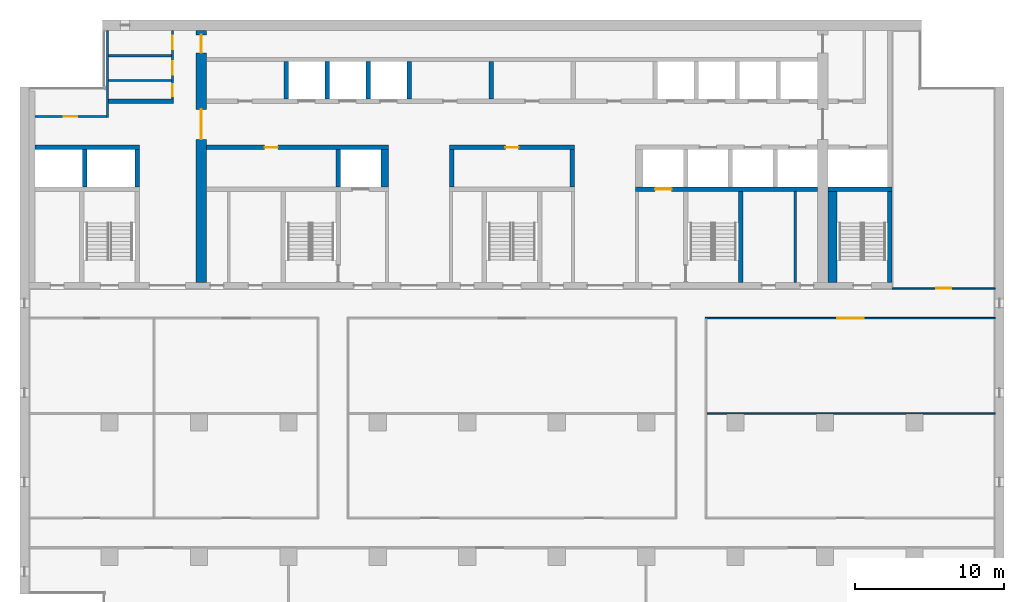
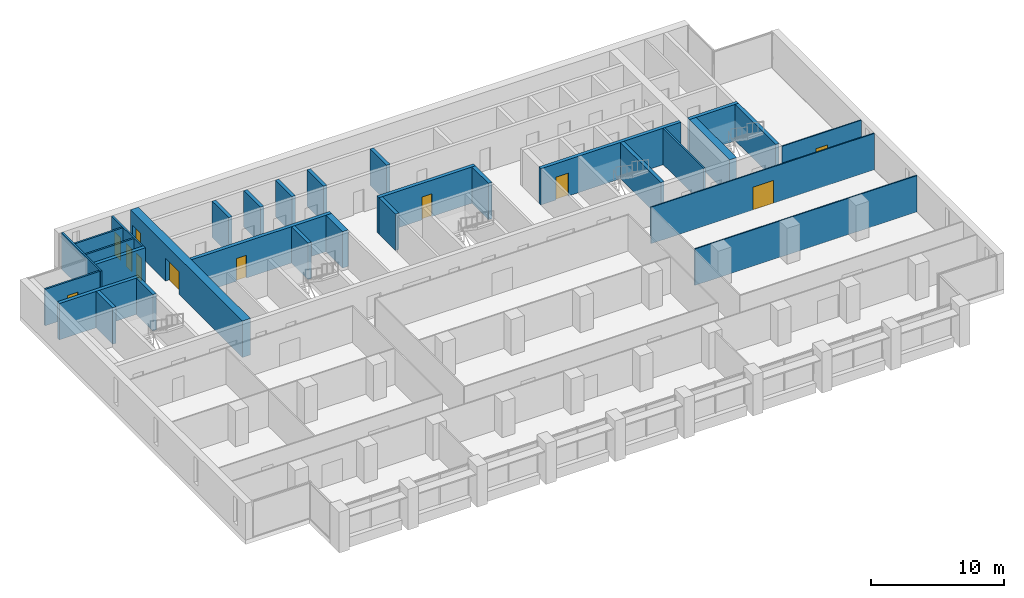
# One storey, part 10 of 16: 30 walls, 11 doors, 11 openings.
"""IFC4 building model written with IfcOpenShell, lengths in metres."""

from ifc_helpers import new_model, si_unit, direction, frame, frame_2d, origin, place, context, subcontext, project, spatial, rectangle, extrude, material, layer, layer_set, type_object, element, fill, save


model = new_model("IFC4")

# Units and contexts
model_context = context("Model", 3, precision=1e-05, world=origin(), true_north=direction((0.0, 1.0)))
body_context = subcontext(model_context, "Body", "Model", "MODEL_VIEW")
ifc_project = project(units=[si_unit("LENGTHUNIT", "METRE"), si_unit("AREAUNIT", "SQUARE_METRE"), si_unit("VOLUMEUNIT", "CUBIC_METRE"), si_unit("PLANEANGLEUNIT", "RADIAN"), si_unit("MASSUNIT", "GRAM", prefix="KILO")], contexts=[model_context])

# Site, building, storey
site_placement = place(None, origin())
site = spatial("IfcSite", under=ifc_project, at=site_placement, CompositionType="ELEMENT")
building_placement = place(site_placement, origin())
building = spatial("IfcBuilding", under=site, at=building_placement, Name="Calvaro Tower", CompositionType="ELEMENT")
storey_placement = place(building_placement, frame((0.0, 0.0, 178.0)))
storey = spatial("IfcBuildingStorey", under=building, at=storey_placement, Name="L44", CompositionType="ELEMENT", Elevation=178.0)

# Walls
ifc_material_1 = material(Name="Blockwork partition", Category="masonry")
ifc_layer_1 = layer(ifc_material_1, 0.14990234375)
ifc_layer_set_1 = layer_set([ifc_layer_1], Name="Blockwork partition")
wall_type_1 = type_object("IfcWallType", Name="Core partition 150 EI 60", PredefinedType="PARTITIONING", material=ifc_layer_set_1)
wall_1_placement = place(storey_placement, frame((58.0, 28.39990234375, 0.0), z_axis=(0.0, 0.0, 1.0), x_axis=(0.0, 1.0, 0.0)))
element("IfcWall", 1, at=wall_1_placement, inside=storey, type_object=wall_type_1, Name="Core partition", PredefinedType="PARTITIONING", context=body_context, shape_type="SweptSolid", body=[
    extrude(rectangle(XDim=6.10009765625, YDim=0.14990234375, at=frame_2d((3.050048828125, 0.0))), origin(), (0.0, 0.0, 1.0), 3.35009765625),
])
for number, where, z_axis, x_axis, name in (
    (2, (11.949951171875, 41.949951171875, 0.0), (0.0, 0.0, 1.0), (1.0, 0.0, 0.0), "Core partition"),
    (3, (11.949951171875, 43.60009765625, 0.0), (0.0, 0.0, 1.0), (1.0, 0.0, 0.0), "Core partition"),
):
    element("IfcWall", number, at=place(storey_placement, frame(where, z_axis=z_axis, x_axis=x_axis)), inside=storey, type_object=wall_type_1, Name=name, PredefinedType="PARTITIONING", context=body_context, shape_type="SweptSolid", body=[
        extrude(rectangle(XDim=4.199951171875, YDim=0.14990234375, at=frame_2d((2.10009765625, 0.0))), origin(), (0.0, 0.0, 1.0), 3.35009765625),
    ])

# Wall, openings, doors
ifc_material_2 = material(Name="Blockwork partition", Category="masonry")
ifc_layer_2 = layer(ifc_material_2, 0.14990234375)
ifc_layer_set_2 = layer_set([ifc_layer_2], Name="Blockwork partition")
wall_type_2 = type_object("IfcWallType", Name="Core partition 150 REI 120", PredefinedType="PARTITIONING", material=ifc_layer_set_2)
wall_2_placement = place(storey_placement, frame((16.22509765625, 45.300048828125, 0.0), z_axis=(0.0, 0.0, 1.0), x_axis=(0.0, -1.0, 0.0)))
wall_2 = element("IfcWall", 4, at=wall_2_placement, inside=storey, type_object=wall_type_2, Name="Core partition", PredefinedType="PARTITIONING", context=body_context, shape_type="SweptSolid", body=[
    extrude(rectangle(XDim=4.60009765625, YDim=0.14990234375, at=frame_2d((2.300048828125, 0.0))), origin(), (0.0, 0.0, 1.0), 3.35009765625),
])
opening_1_placement = place(wall_2_placement, frame((3.612548828125, 0.0, 0.0)))
opening_1 = element("IfcOpeningElement", 5, at=opening_1_placement, cuts=wall_2, Name="Opening RD8C", PredefinedType="OPENING", context=body_context, shape_type="SweptSolid", body=[
    extrude(rectangle(XDim=0.800048828125, YDim=2.10009765625, at=frame_2d((0.39990234375, 1.050048828125))), frame((0.0, 0.0849609375, 0.0), z_axis=(0.0, -1.0, 0.0), x_axis=(1.0, 0.0, 0.0)), (0.0, 0.0, 1.0), 0.169921875),
])
opening_2_placement = place(wall_2_placement, frame((2.074951171875, 0.0, 0.0)))
opening_2 = element("IfcOpeningElement", 6, at=opening_2_placement, cuts=wall_2, Name="Opening RD9", PredefinedType="OPENING", context=body_context, shape_type="SweptSolid", body=[
    extrude(rectangle(XDim=0.89990234375, YDim=2.10009765625, at=frame_2d((0.449951171875, 1.050048828125))), frame((0.0, 0.0849609375, 0.0), z_axis=(0.0, -1.0, 0.0), x_axis=(1.0, 0.0, 0.0)), (0.0, 0.0, 1.0), 0.169921875),
])
opening_3_placement = place(wall_2_placement, frame((0.362548828125, 0.0, 0.0)))
opening_3 = element("IfcOpeningElement", 7, at=opening_3_placement, cuts=wall_2, Name="Opening RD9", PredefinedType="OPENING", context=body_context, shape_type="SweptSolid", body=[
    extrude(rectangle(XDim=0.89990234375, YDim=2.10009765625, at=frame_2d((0.449951171875, 1.050048828125))), frame((0.0, 0.0849609375, 0.0), z_axis=(0.0, -1.0, 0.0), x_axis=(1.0, 0.0, 0.0)), (0.0, 0.0, 1.0), 0.169921875),
])
ifc_material_3 = material(Name="Steel door set", Category="steel")
door_type_1 = type_object("IfcDoorType", Name="Room door 800 FD30", OperationType="SINGLE_SWING_LEFT", PredefinedType="DOOR", material=ifc_material_3)
door_1_placement = place(opening_1_placement, origin())
door_1 = element("IfcDoor", 8, at=door_1_placement, inside=storey, type_object=door_type_1, Name="Room door", OperationType="SINGLE_SWING_RIGHT", OverallHeight=2.10009765625, OverallWidth=0.800048828125, PredefinedType="DOOR", context=body_context, shape_type="SweptSolid", body=[
    extrude(rectangle(XDim=0.800048828125, YDim=2.10009765625, at=frame_2d((0.39990234375, 1.050048828125))), frame((0.0, 0.02490234375, 0.0), z_axis=(0.0, -1.0, 0.0), x_axis=(1.0, 0.0, 0.0)), (0.0, 0.0, 1.0), 0.050048828125),
])
fill(opening_1, door_1)
ifc_material_4 = material(Name="Steel door set", Category="steel")
door_type_2 = type_object("IfcDoorType", Name="Room door 900", OperationType="SINGLE_SWING_LEFT", PredefinedType="DOOR", material=ifc_material_4)
door_2_placement = place(opening_2_placement, origin())
door_2 = element("IfcDoor", 9, at=door_2_placement, inside=storey, type_object=door_type_2, Name="Room door", OperationType="SINGLE_SWING_RIGHT", OverallHeight=2.10009765625, OverallWidth=0.89990234375, PredefinedType="DOOR", context=body_context, shape_type="SweptSolid", body=[
    extrude(rectangle(XDim=0.89990234375, YDim=2.10009765625, at=frame_2d((0.449951171875, 1.050048828125))), frame((0.0, 0.02490234375, 0.0), z_axis=(0.0, -1.0, 0.0), x_axis=(1.0, 0.0, 0.0)), (0.0, 0.0, 1.0), 0.050048828125),
])
fill(opening_2, door_2)
door_3_placement = place(opening_3_placement, origin())
door_3 = element("IfcDoor", 10, at=door_3_placement, inside=storey, type_object=door_type_2, Name="Room door", OperationType="SINGLE_SWING_RIGHT", OverallHeight=2.10009765625, OverallWidth=0.89990234375, PredefinedType="DOOR", context=body_context, shape_type="SweptSolid", body=[
    extrude(rectangle(XDim=0.89990234375, YDim=2.10009765625, at=frame_2d((0.449951171875, 1.050048828125))), frame((0.0, 0.02490234375, 0.0), z_axis=(0.0, -1.0, 0.0), x_axis=(1.0, 0.0, 0.0)), (0.0, 0.0, 1.0), 0.050048828125),
])
fill(opening_3, door_3)

# Wall
wall_3_placement = place(storey_placement, frame((11.875, 39.449951171875, 0.0), z_axis=(0.0, 0.0, 1.0), x_axis=(0.0, 1.0, 0.0)))
element("IfcWall", 11, at=wall_3_placement, inside=storey, type_object=wall_type_2, Name="Core partition", PredefinedType="PARTITIONING", context=body_context, shape_type="SweptSolid", body=[
    extrude(rectangle(XDim=5.85009765625, YDim=0.14990234375, at=frame_2d((2.925048828125, 0.0))), origin(), (0.0, 0.0, 1.0), 3.35009765625),
])

# Wall, opening, door
wall_4_placement = place(storey_placement, frame((7.0, 39.52490234375, 0.0), z_axis=(0.0, 0.0, 1.0), x_axis=(1.0, 0.0, 0.0)))
wall_4 = element("IfcWall", 12, at=wall_4_placement, inside=storey, type_object=wall_type_2, Name="Core partition", PredefinedType="PARTITIONING", context=body_context, shape_type="SweptSolid", body=[
    extrude(rectangle(XDim=4.800048828125, YDim=0.14990234375, at=frame_2d((2.39990234375, 0.0))), origin(), (0.0, 0.0, 1.0), 3.35009765625),
])
opening_4_placement = place(wall_4_placement, frame((1.949951171875, 0.0, 0.0)))
opening_4 = element("IfcOpeningElement", 13, at=opening_4_placement, cuts=wall_4, Name="Opening RD9", PredefinedType="OPENING", context=body_context, shape_type="SweptSolid", body=[
    extrude(rectangle(XDim=0.89990234375, YDim=2.10009765625, at=frame_2d((0.449951171875, 1.050048828125))), frame((0.0, 0.0849609375, 0.0), z_axis=(0.0, -1.0, 0.0), x_axis=(1.0, 0.0, 0.0)), (0.0, 0.0, 1.0), 0.169921875),
])
door_4_placement = place(opening_4_placement, origin())
door_4 = element("IfcDoor", 14, at=door_4_placement, inside=storey, type_object=door_type_2, Name="Room door", OperationType="SINGLE_SWING_LEFT", OverallHeight=2.10009765625, OverallWidth=0.89990234375, PredefinedType="DOOR", context=body_context, shape_type="SweptSolid", body=[
    extrude(rectangle(XDim=0.89990234375, YDim=2.10009765625, at=frame_2d((0.449951171875, 1.050048828125))), frame((0.0, 0.02490234375, 0.0), z_axis=(0.0, -1.0, 0.0), x_axis=(1.0, 0.0, 0.0)), (0.0, 0.0, 1.0), 0.050048828125),
])
fill(opening_4, door_4)

# Walls
ifc_material_5 = material(Name="Blockwork partition", Category="masonry")
ifc_layer_3 = layer(ifc_material_5, 0.300048828125)
ifc_layer_set_3 = layer_set([ifc_layer_3], Name="Blockwork partition")
wall_type_3 = type_object("IfcWallType", Name="Core partition 300 REI 120", PredefinedType="PARTITIONING", material=ifc_layer_set_3)
wall_5_placement = place(storey_placement, frame((11.949951171875, 40.550048828125, 0.0), z_axis=(0.0, 0.0, 1.0), x_axis=(1.0, 0.0, 0.0)))
element("IfcWall", 15, at=wall_5_placement, inside=storey, type_object=wall_type_3, Name="Core partition", PredefinedType="PARTITIONING", context=body_context, shape_type="SweptSolid", body=[
    extrude(rectangle(XDim=4.35009765625, YDim=0.300048828125, at=frame_2d((2.175048828125, 0.0))), origin(), (0.0, 0.0, 1.0), 3.35009765625),
])
wall_6_placement = place(storey_placement, frame((37.60009765625, 40.699951171875, 0.0), z_axis=(0.0, 0.0, 1.0), x_axis=(0.0, 1.0, 0.0)))
element("IfcWall", 16, at=wall_6_placement, inside=storey, type_object=wall_type_3, Name="Core partition", PredefinedType="PARTITIONING", context=body_context, shape_type="SweptSolid", body=[
    extrude(rectangle(XDim=2.5, YDim=0.300048828125, at=frame_2d((1.25, 0.0))), origin(), (0.0, 0.0, 1.0), 3.35009765625),
])
ifc_material_6 = material(Name="Concrete C50/60", Category="concrete")
ifc_layer_4 = layer(ifc_material_6, 0.300048828125)
ifc_layer_set_4 = layer_set([ifc_layer_4], Name="Concrete C50/60")
wall_type_4 = type_object("IfcWallType", Name="Core wall C50/60 300", PredefinedType="SHEAR", material=ifc_layer_set_4)
for number, where, z_axis, x_axis, name in (
    (17, (54.35009765625, 28.39990234375, 0.0), (0.0, 0.0, 1.0), (0.0, 1.0, 0.0), "Core wall, stair enclosure"),
    (18, (64.35009765625, 28.39990234375, 0.0), (0.0, 0.0, 1.0), (0.0, 1.0, 0.0), "Core wall, stair enclosure"),
):
    element("IfcWall", number, at=place(storey_placement, frame(where, z_axis=z_axis, x_axis=x_axis)), inside=storey, type_object=wall_type_4, Name=name, PredefinedType="SHEAR", context=body_context, shape_type="SweptSolid", body=[
        extrude(rectangle(XDim=6.10009765625, YDim=0.300048828125, at=frame_2d((3.050048828125, 0.0))), origin(), (0.0, 0.0, 1.0), 3.35009765625),
    ])

# Wall, opening, door
wall_7_placement = place(storey_placement, frame((47.300048828125, 34.64990234375, 0.0), z_axis=(0.0, 0.0, 1.0), x_axis=(1.0, 0.0, 0.0)))
wall_7 = element("IfcWall", 19, at=wall_7_placement, inside=storey, type_object=wall_type_4, Name="Core wall, lift shaft", PredefinedType="SHEAR", context=body_context, shape_type="SweptSolid", body=[
    extrude(rectangle(XDim=12.199951171875, YDim=0.300048828125, at=frame_2d((6.10009765625, 0.0))), origin(), (0.0, 0.0, 1.0), 3.35009765625),
])
opening_5_placement = place(wall_7_placement, frame((1.300048828125, 0.0, 0.0)))
opening_5 = element("IfcOpeningElement", 20, at=opening_5_placement, cuts=wall_7, Name="Opening FF2", PredefinedType="OPENING", context=body_context, shape_type="SweptSolid", body=[
    extrude(rectangle(XDim=1.10009765625, YDim=2.10009765625, at=frame_2d((0.550048828125, 1.050048828125))), frame((0.0, 0.159912109375, 0.0), z_axis=(0.0, -1.0, 0.0), x_axis=(1.0, 0.0, 0.0)), (0.0, 0.0, 1.0), 0.320068359375),
])
ifc_material_7 = material(Name="Stainless steel", Category="steel")
door_type_3 = type_object("IfcDoorType", Name="Landing door 1100 E 60", OperationType="SLIDING_TO_LEFT", PredefinedType="DOOR", material=ifc_material_7)
door_5_placement = place(opening_5_placement, origin())
door_5 = element("IfcDoor", 21, at=door_5_placement, inside=storey, type_object=door_type_3, Name="Landing door FF2", OperationType="SLIDING_TO_LEFT", OverallHeight=2.10009765625, OverallWidth=1.10009765625, PredefinedType="DOOR", context=body_context, shape_type="SweptSolid", body=[
    extrude(rectangle(XDim=1.10009765625, YDim=2.10009765625, at=frame_2d((0.550048828125, 1.050048828125))), frame((0.0, 0.02490234375, 0.0), z_axis=(0.0, -1.0, 0.0), x_axis=(1.0, 0.0, 0.0)), (0.0, 0.0, 1.0), 0.050048828125),
])
fill(opening_5, door_5)

# Walls
wall_8_placement = place(storey_placement, frame((60.199951171875, 34.64990234375, 0.0), z_axis=(0.0, 0.0, 1.0), x_axis=(1.0, 0.0, 0.0)))
element("IfcWall", 22, at=wall_8_placement, inside=storey, type_object=wall_type_4, Name="Core wall, lift shaft", PredefinedType="SHEAR", context=body_context, shape_type="SweptSolid", body=[
    extrude(rectangle(XDim=4.300048828125, YDim=0.300048828125, at=frame_2d((2.14990234375, 0.0))), origin(), (0.0, 0.0, 1.0), 3.35009765625),
])
wall_9_placement = place(storey_placement, frame((7.0, 37.449951171875, 0.0), z_axis=(0.0, 0.0, 1.0), x_axis=(1.0, 0.0, 0.0)))
element("IfcWall", 23, at=wall_9_placement, inside=storey, type_object=wall_type_4, Name="Core wall, lift shaft", PredefinedType="SHEAR", context=body_context, shape_type="SweptSolid", body=[
    extrude(rectangle(XDim=7.0, YDim=0.300048828125, at=frame_2d((3.5, 0.0))), origin(), (0.0, 0.0, 1.0), 3.35009765625),
])

# Wall, opening, door
wall_10_placement = place(storey_placement, frame((30.699951171875, 37.449951171875, 0.0), z_axis=(0.0, 0.0, 1.0), x_axis=(-1.0, 0.0, 0.0)))
wall_10 = element("IfcWall", 24, at=wall_10_placement, inside=storey, type_object=wall_type_4, Name="Core wall, bay", PredefinedType="SHEAR", context=body_context, shape_type="SweptSolid", body=[
    extrude(rectangle(XDim=12.199951171875, YDim=0.300048828125, at=frame_2d((6.10009765625, 0.0))), origin(), (0.0, 0.0, 1.0), 3.35009765625),
])
opening_6_placement = place(wall_10_placement, frame((7.39990234375, 0.0, 0.0)))
opening_6 = element("IfcOpeningElement", 25, at=opening_6_placement, cuts=wall_10, Name="Opening RD9E", PredefinedType="OPENING", context=body_context, shape_type="SweptSolid", body=[
    extrude(rectangle(XDim=0.89990234375, YDim=2.10009765625, at=frame_2d((0.449951171875, 1.050048828125))), frame((0.0, 0.159912109375, 0.0), z_axis=(0.0, -1.0, 0.0), x_axis=(1.0, 0.0, 0.0)), (0.0, 0.0, 1.0), 0.320068359375),
])
ifc_material_8 = material(Name="Steel door set", Category="steel")
door_type_4 = type_object("IfcDoorType", Name="Room door 900 FD60", OperationType="SINGLE_SWING_LEFT", PredefinedType="DOOR", material=ifc_material_8)
door_6_placement = place(opening_6_placement, origin())
door_6 = element("IfcDoor", 26, at=door_6_placement, inside=storey, type_object=door_type_4, Name="Room door", OperationType="SINGLE_SWING_LEFT", OverallHeight=2.10009765625, OverallWidth=0.89990234375, PredefinedType="DOOR", context=body_context, shape_type="SweptSolid", body=[
    extrude(rectangle(XDim=0.89990234375, YDim=2.10009765625, at=frame_2d((0.449951171875, 1.050048828125))), frame((0.0, 0.02490234375, 0.0), z_axis=(0.0, -1.0, 0.0), x_axis=(1.0, 0.0, 0.0)), (0.0, 0.0, 1.0), 0.050048828125),
])
fill(opening_6, door_6)

wall_11_placement = place(storey_placement, frame((43.199951171875, 37.449951171875, 0.0), z_axis=(0.0, 0.0, 1.0), x_axis=(-1.0, 0.0, 0.0)))
wall_11 = element("IfcWall", 27, at=wall_11_placement, inside=storey, type_object=wall_type_4, Name="Core wall, bay", PredefinedType="SHEAR", context=body_context, shape_type="SweptSolid", body=[
    extrude(rectangle(XDim=8.39990234375, YDim=0.300048828125, at=frame_2d((4.199951171875, 0.0))), origin(), (0.0, 0.0, 1.0), 3.35009765625),
])
opening_7_placement = place(wall_11_placement, frame((3.75, 0.0, 0.0)))
opening_7 = element("IfcOpeningElement", 28, at=opening_7_placement, cuts=wall_11, Name="Opening RD9E", PredefinedType="OPENING", context=body_context, shape_type="SweptSolid", body=[
    extrude(rectangle(XDim=0.89990234375, YDim=2.10009765625, at=frame_2d((0.449951171875, 1.050048828125))), frame((0.0, 0.159912109375, 0.0), z_axis=(0.0, -1.0, 0.0), x_axis=(1.0, 0.0, 0.0)), (0.0, 0.0, 1.0), 0.320068359375),
])
door_7_placement = place(opening_7_placement, origin())
door_7 = element("IfcDoor", 29, at=door_7_placement, inside=storey, type_object=door_type_4, Name="Room door", OperationType="SINGLE_SWING_RIGHT", OverallHeight=2.10009765625, OverallWidth=0.89990234375, PredefinedType="DOOR", context=body_context, shape_type="SweptSolid", body=[
    extrude(rectangle(XDim=0.89990234375, YDim=2.10009765625, at=frame_2d((0.449951171875, 1.050048828125))), frame((0.0, 0.02490234375, 0.0), z_axis=(0.0, -1.0, 0.0), x_axis=(1.0, 0.0, 0.0)), (0.0, 0.0, 1.0), 0.050048828125),
])
fill(opening_7, door_7)

# Walls
for number, where, z_axis, x_axis, name in (
    (30, (27.35009765625, 34.800048828125, 0.0), (0.0, 0.0, 1.0), (0.0, 1.0, 0.0), "Core wall, lift shaft"),
    (31, (34.949951171875, 34.800048828125, 0.0), (0.0, 0.0, 1.0), (0.0, 1.0, 0.0), "Core wall, lift shaft"),
    (32, (43.050048828125, 34.800048828125, 0.0), (0.0, 0.0, 1.0), (0.0, 1.0, 0.0), "Core wall, lift shaft"),
    (33, (13.85009765625, 34.800048828125, 0.0), (0.0, 0.0, 1.0), (0.0, 1.0, 0.0), "Core wall, lift shaft"),
    (34, (23.85009765625, 40.699951171875, 0.0), (0.0, 0.0, 1.0), (0.0, 1.0, 0.0), "Core wall, lift shaft"),
    (35, (26.60009765625, 40.699951171875, 0.0), (0.0, 0.0, 1.0), (0.0, 1.0, 0.0), "Core wall, lift shaft"),
    (36, (29.35009765625, 40.699951171875, 0.0), (0.0, 0.0, 1.0), (0.0, 1.0, 0.0), "Core wall, lift shaft"),
    (37, (32.10009765625, 40.699951171875, 0.0), (0.0, 0.0, 1.0), (0.0, 1.0, 0.0), "Core wall, lift shaft"),
    (38, (10.35009765625, 34.800048828125, 0.0), (0.0, 0.0, 1.0), (0.0, 1.0, 0.0), "Core wall, lift shaft"),
):
    element("IfcWall", number, at=place(storey_placement, frame(where, z_axis=z_axis, x_axis=x_axis)), inside=storey, type_object=wall_type_4, Name=name, PredefinedType="SHEAR", context=body_context, shape_type="SweptSolid", body=[
        extrude(rectangle(XDim=2.5, YDim=0.300048828125, at=frame_2d((1.25, 0.0))), origin(), (0.0, 0.0, 1.0), 3.35009765625),
    ])
ifc_material_9 = material(Name="Concrete C50/60", Category="concrete")
ifc_layer_5 = layer(ifc_material_9, 0.5)
ifc_layer_set_5 = layer_set([ifc_layer_5], Name="Concrete C50/60")
wall_type_5 = type_object("IfcWallType", Name="Core wall C50/60 500", PredefinedType="SHEAR", material=ifc_layer_set_5)
wall_12_placement = place(storey_placement, frame((30.449951171875, 34.800048828125, 0.0), z_axis=(0.0, 0.0, 1.0), x_axis=(0.0, 1.0, 0.0)))
element("IfcWall", 39, at=wall_12_placement, inside=storey, type_object=wall_type_5, Name="Core wall, lift shaft", PredefinedType="SHEAR", context=body_context, shape_type="SweptSolid", body=[
    extrude(rectangle(XDim=2.5, YDim=0.5, at=frame_2d((1.25, 0.0))), origin(), (0.0, 0.0, 1.0), 3.35009765625),
])
ifc_material_10 = material(Name="Concrete C50/60", Category="concrete")
ifc_layer_6 = layer(ifc_material_10, 0.60009765625)
ifc_layer_set_6 = layer_set([ifc_layer_6], Name="Concrete C50/60")
wall_type_6 = type_object("IfcWallType", Name="Core wall C50/60 600", PredefinedType="SHEAR", material=ifc_layer_set_6)
wall_13_placement = place(storey_placement, frame((60.5, 28.39990234375, 0.0), z_axis=(0.0, 0.0, 1.0), x_axis=(0.0, 1.0, 0.0)))
element("IfcWall", 40, at=wall_13_placement, inside=storey, type_object=wall_type_6, Name="Core wall, stair enclosure", PredefinedType="SHEAR", context=body_context, shape_type="SweptSolid", body=[
    extrude(rectangle(XDim=6.10009765625, YDim=0.60009765625, at=frame_2d((3.050048828125, 0.0))), origin(), (0.0, 0.0, 1.0), 3.35009765625),
])

# Wall, openings, doors
ifc_material_11 = material(Name="Concrete C50/60", Category="concrete")
ifc_layer_7 = layer(ifc_material_11, 0.699951171875)
ifc_layer_set_7 = layer_set([ifc_layer_7], Name="Concrete C50/60")
wall_type_7 = type_object("IfcWallType", Name="Core wall C50/60 700", PredefinedType="SHEAR", material=ifc_layer_set_7)
wall_14_placement = place(storey_placement, frame((18.14990234375, 28.39990234375, 0.0), z_axis=(0.0, 0.0, 1.0), x_axis=(0.0, 1.0, 0.0)))
wall_14 = element("IfcWall", 41, at=wall_14_placement, inside=storey, type_object=wall_type_7, Name="Core wall, cross shear wall", PredefinedType="SHEAR", context=body_context, shape_type="SweptSolid", body=[
    extrude(rectangle(XDim=16.900146484375, YDim=0.699951171875, at=frame_2d((8.4501953125, 0.0))), origin(), (0.0, 0.0, 1.0), 3.35009765625),
])
opening_8_placement = place(wall_14_placement, frame((9.60009765625, 0.0, 0.0)))
opening_8 = element("IfcOpeningElement", 42, at=opening_8_placement, cuts=wall_14, Name="Opening DD20D", PredefinedType="OPENING", context=body_context, shape_type="SweptSolid", body=[
    extrude(rectangle(XDim=2.0, YDim=2.10009765625, at=frame_2d((1.0, 1.050048828125))), frame((0.0, 0.35986328125, 0.0), z_axis=(0.0, -1.0, 0.0), x_axis=(1.0, 0.0, 0.0)), (0.0, 0.0, 1.0), 0.719970703125),
])
opening_9_placement = place(wall_14_placement, frame((15.39990234375, 0.0, 0.0)))
opening_9 = element("IfcOpeningElement", 43, at=opening_9_placement, cuts=wall_14, Name="Opening FD12C", PredefinedType="OPENING", context=body_context, shape_type="SweptSolid", body=[
    extrude(rectangle(XDim=1.199951171875, YDim=2.10009765625, at=frame_2d((0.60009765625, 1.050048828125))), frame((0.0, 0.35986328125, 0.0), z_axis=(0.0, -1.0, 0.0), x_axis=(1.0, 0.0, 0.0)), (0.0, 0.0, 1.0), 0.719970703125),
])
ifc_material_12 = material(Name="Steel door set", Category="steel")
door_type_5 = type_object("IfcDoorType", Name="Fire door 1200 FD30", OperationType="SINGLE_SWING_LEFT", PredefinedType="DOOR", material=ifc_material_12)
door_8_placement = place(opening_9_placement, origin())
door_8 = element("IfcDoor", 44, at=door_8_placement, inside=storey, type_object=door_type_5, Name="Fire door", OperationType="SINGLE_SWING_LEFT", OverallHeight=2.10009765625, OverallWidth=1.199951171875, PredefinedType="DOOR", context=body_context, shape_type="SweptSolid", body=[
    extrude(rectangle(XDim=1.199951171875, YDim=2.10009765625, at=frame_2d((0.60009765625, 1.050048828125))), frame((0.0, 0.02490234375, 0.0), z_axis=(0.0, -1.0, 0.0), x_axis=(1.0, 0.0, 0.0)), (0.0, 0.0, 1.0), 0.050048828125),
])
fill(opening_9, door_8)
ifc_material_13 = material(Name="Steel door set", Category="steel")
door_type_6 = type_object("IfcDoorType", Name="Lobby double door 2000 FD30S", OperationType="DOUBLE_DOOR_SINGLE_SWING", PredefinedType="DOOR", material=ifc_material_13)
door_9_placement = place(opening_8_placement, origin())
door_9 = element("IfcDoor", 45, at=door_9_placement, inside=storey, type_object=door_type_6, Name="Lobby double door", OperationType="DOUBLE_DOOR_SINGLE_SWING", OverallHeight=2.10009765625, OverallWidth=2.0, PredefinedType="DOOR", context=body_context, shape_type="SweptSolid", body=[
    extrude(rectangle(XDim=2.0, YDim=2.10009765625, at=frame_2d((1.0, 1.050048828125))), frame((0.0, 0.02490234375, 0.0), z_axis=(0.0, -1.0, 0.0), x_axis=(1.0, 0.0, 0.0)), (0.0, 0.0, 1.0), 0.050048828125),
])
fill(opening_8, door_9)

# Wall
ifc_material_14 = material(Name="Plasterboard on steel studs", Category="steel")
ifc_layer_8 = layer(ifc_material_14, 0.10009765625)
ifc_layer_set_8 = layer_set([ifc_layer_8], Name="Plasterboard on steel studs")
wall_type_8 = type_object("IfcWallType", Name="Partition 100", PredefinedType="PARTITIONING", material=ifc_layer_set_8)
wall_15_placement = place(storey_placement, frame((52.050048828125, 19.60009765625, 0.0), z_axis=(0.0, 0.0, 1.0), x_axis=(1.0, 0.0, 0.0)))
element("IfcWall", 46, at=wall_15_placement, inside=storey, type_object=wall_type_8, Name="Partition T26.W007", PredefinedType="PARTITIONING", context=body_context, shape_type="SweptSolid", body=[
    extrude(rectangle(XDim=19.349853515625, YDim=0.10009765625, at=frame_2d((9.6748046875, 0.0))), origin(), (0.0, 0.0, 1.0), 3.35009765625),
])

# Wall, opening, door
wall_16_placement = place(storey_placement, frame((51.949951171875, 26.0, 0.0), z_axis=(0.0, 0.0, 1.0), x_axis=(1.0, 0.0, 0.0)))
wall_16 = element("IfcWall", 47, at=wall_16_placement, inside=storey, type_object=wall_type_8, Name="Partition T26.W010", PredefinedType="PARTITIONING", context=body_context, shape_type="SweptSolid", body=[
    extrude(rectangle(XDim=19.449951171875, YDim=0.10009765625, at=frame_2d((9.72509765625, 0.0))), origin(), (0.0, 0.0, 1.0), 3.35009765625),
])
opening_10_placement = place(wall_16_placement, frame((8.85009765625, 0.0, 0.0)))
opening_10 = element("IfcOpeningElement", 48, at=opening_10_placement, cuts=wall_16, Name="Opening T26.012", PredefinedType="OPENING", context=body_context, shape_type="SweptSolid", body=[
    extrude(rectangle(XDim=1.800048828125, YDim=2.10009765625, at=frame_2d((0.89990234375, 1.050048828125))), frame((0.0, 0.06005859375, 0.0), z_axis=(0.0, -1.0, 0.0), x_axis=(1.0, 0.0, 0.0)), (0.0, 0.0, 1.0), 0.1201171875),
])
ifc_material_15 = material(Name="Timber", Category="wood")
door_type_7 = type_object("IfcDoorType", Name="Internal double door 1800 x 2100", OperationType="DOUBLE_DOOR_SINGLE_SWING", PredefinedType="DOOR", material=ifc_material_15)
door_10_placement = place(opening_10_placement, origin())
door_10 = element("IfcDoor", 49, at=door_10_placement, inside=storey, type_object=door_type_7, Name="Door T26.012", OperationType="DOUBLE_DOOR_SINGLE_SWING", OverallHeight=2.10009765625, OverallWidth=1.800048828125, PredefinedType="DOOR", context=body_context, shape_type="SweptSolid", body=[
    extrude(rectangle(XDim=1.800048828125, YDim=2.10009765625, at=frame_2d((0.89990234375, 1.050048828125))), frame((0.0, 0.02490234375, 0.0), z_axis=(0.0, -1.0, 0.0), x_axis=(1.0, 0.0, 0.0)), (0.0, 0.0, 1.0), 0.050048828125),
])
fill(opening_10, door_10)

ifc_material_16 = material(Name="Plasterboard on steel studs", Category="steel")
ifc_layer_9 = layer(ifc_material_16, 0.10009765625)
ifc_layer_set_9 = layer_set([ifc_layer_9], Name="Plasterboard on steel studs")
wall_type_9 = type_object("IfcWallType", Name="Partition 100 REI 120", PredefinedType="PARTITIONING", material=ifc_layer_set_9)
wall_17_placement = place(storey_placement, frame((64.5, 28.0, 0.0), z_axis=(0.0, 0.0, 1.0), x_axis=(1.0, 0.0, 0.0)))
wall_17 = element("IfcWall", 50, at=wall_17_placement, inside=storey, type_object=wall_type_9, Name="Partition T26.W011", PredefinedType="PARTITIONING", context=body_context, shape_type="SweptSolid", body=[
    extrude(rectangle(XDim=6.89990234375, YDim=0.10009765625, at=frame_2d((3.449951171875, 0.0))), origin(), (0.0, 0.0, 1.0), 3.35009765625),
])
opening_11_placement = place(wall_17_placement, frame((2.949951171875, 0.0, 0.0)))
opening_11 = element("IfcOpeningElement", 51, at=opening_11_placement, cuts=wall_17, Name="Opening T26.013", PredefinedType="OPENING", context=body_context, shape_type="SweptSolid", body=[
    extrude(rectangle(XDim=1.0, YDim=2.10009765625, at=frame_2d((0.5, 1.050048828125))), frame((0.0, 0.06005859375, 0.0), z_axis=(0.0, -1.0, 0.0), x_axis=(1.0, 0.0, 0.0)), (0.0, 0.0, 1.0), 0.1201171875),
])
ifc_material_17 = material(Name="Timber", Category="wood")
door_type_8 = type_object("IfcDoorType", Name="Internal single door 1000 x 2100 FD60", OperationType="SINGLE_SWING_LEFT", PredefinedType="DOOR", material=ifc_material_17)
door_11_placement = place(opening_11_placement, origin())
door_11 = element("IfcDoor", 52, at=door_11_placement, inside=storey, type_object=door_type_8, Name="Door T26.013", OperationType="SINGLE_SWING_LEFT", OverallHeight=2.10009765625, OverallWidth=1.0, PredefinedType="DOOR", context=body_context, shape_type="SweptSolid", body=[
    extrude(rectangle(XDim=1.0, YDim=2.10009765625, at=frame_2d((0.5, 1.050048828125))), frame((0.0, 0.02490234375, 0.0), z_axis=(0.0, -1.0, 0.0), x_axis=(1.0, 0.0, 0.0)), (0.0, 0.0, 1.0), 0.050048828125),
])
fill(opening_11, door_11)

save(model, "model.ifc")
